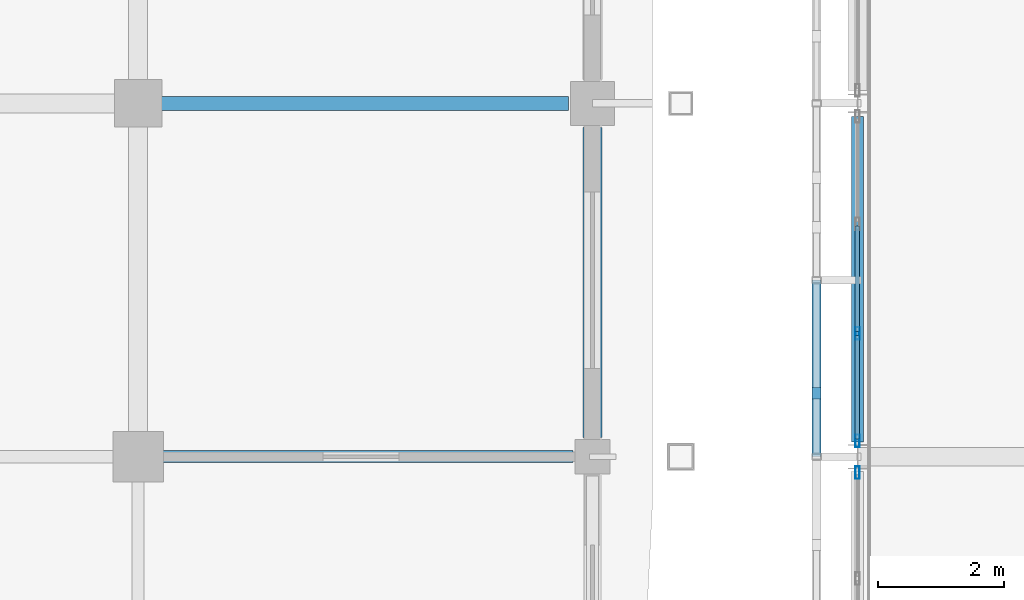
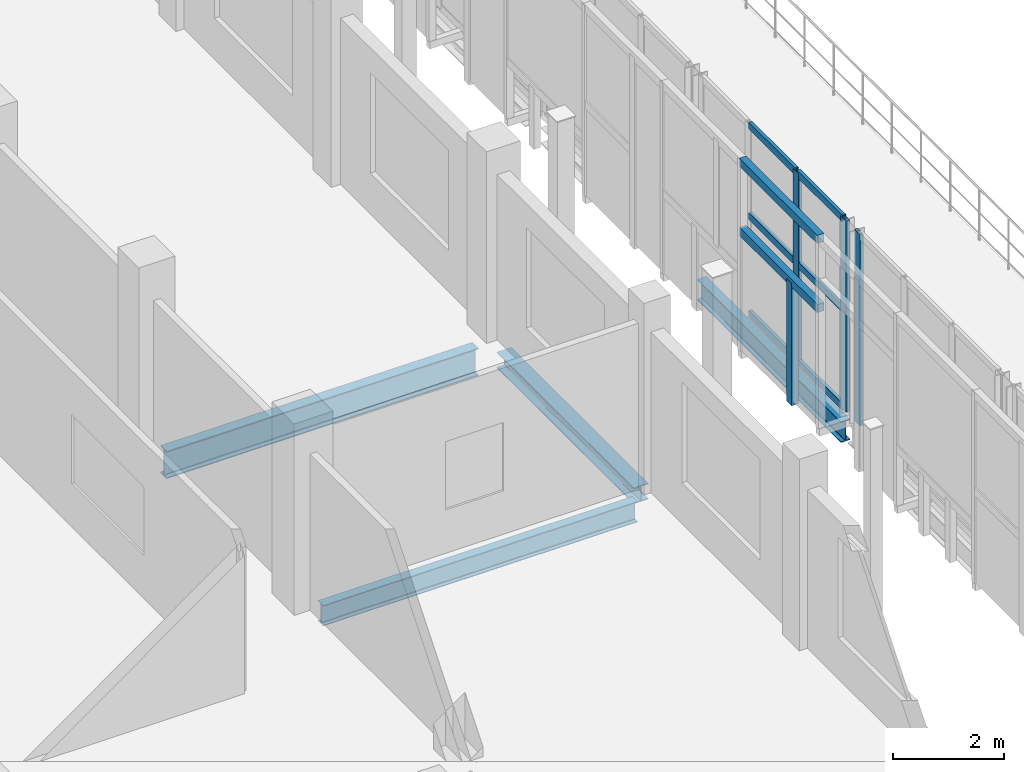
# One storey, part 39 of 121: 12 members, 4 beams, 2 elements without a shape of their own.
"""IFC4 building model written with IfcOpenShell, lengths in metres."""

from ifc_helpers import new_model, si_unit, direction, frame, origin, origin_2d, place, context, subcontext, project, spatial, rectangle, hollow_rectangle, i_section, extrude, material, layer, layer_set, material_profile, profile_set, type_object, element, aggregate, save


model = new_model("IFC4")

# Units and contexts
model_context = context("Model", 3, precision=1e-05, world=origin(), true_north=direction((0.0, 1.0)))
body_context = subcontext(model_context, "Body", "Model", "MODEL_VIEW")
ifc_project = project(units=[si_unit("LENGTHUNIT", "METRE"), si_unit("AREAUNIT", "SQUARE_METRE"), si_unit("VOLUMEUNIT", "CUBIC_METRE"), si_unit("PLANEANGLEUNIT", "RADIAN"), si_unit("MASSUNIT", "GRAM", prefix="KILO")], contexts=[model_context])

# Site, building, storey
site_placement = place(None, origin())
site = spatial("IfcSite", under=ifc_project, at=site_placement, CompositionType="ELEMENT")
building_placement = place(site_placement, origin())
building = spatial("IfcBuilding", under=site, at=building_placement, Name="Vinh Khe Railworks Police Headquarters", CompositionType="ELEMENT")
storey_placement = place(building_placement, frame((0.0, 0.0, 4.800048828125)))
storey = spatial("IfcBuildingStorey", under=building, at=storey_placement, Name="L01", CompositionType="ELEMENT", Elevation=4.800048828125)

# Members
ifc_material_1 = material(Name="Salvaged ironwood timber", Category="wood")
ifc_material_profile_1 = material_profile(ifc_material_1, rectangle(XDim=0.139892578125, YDim=0.179931640625, at=origin_2d()), Name="TIMBER 140x180")
ifc_profile_set_1 = profile_set([ifc_material_profile_1], Name="Salvaged ironwood timber")
member_type_1 = type_object("IfcMemberType", Name="MEM-QUILT-STILE", PredefinedType="CHORD", material=ifc_profile_set_1)
for number, where, z_axis, x_axis, name in (
    (1, (25.75, 42.0, 4.119873046875), (0.0, 1.0, 0.0), (-1.0, 0.0, 0.0), "Salvaged Timber Quilt Transom W-L01-06-TOP"),
    (2, (25.75, 42.0, 2.60400390625), (0.0, 1.0, 0.0), (-1.0, 0.0, 0.0), "Salvaged Timber Quilt Transom W-L01-06-M1"),
):
    element("IfcMember", number, at=place(storey_placement, frame(where, z_axis=z_axis, x_axis=x_axis)), inside=storey, type_object=member_type_1, Name=name, PredefinedType="CHORD", context=body_context, shape_type="SweptSolid", body=[
        extrude(rectangle(XDim=0.139892578125, YDim=0.179931640625, at=origin_2d()), origin(), (0.0, 0.0, 1.0), 2.800048828125),
    ])
member_1_placement = place(storey_placement, frame((25.75, 43.008056640625, -0.080078125), z_axis=(0.0, 0.0, 1.0), x_axis=(1.0, 0.0, 0.0)))
element("IfcMember", 3, at=member_1_placement, inside=storey, type_object=member_type_1, Name="Salvaged Timber Quilt Stile W-L01-06-V1", PredefinedType="POST", context=body_context, shape_type="SweptSolid", body=[
    extrude(rectangle(XDim=0.139892578125, YDim=0.179931640625, at=origin_2d()), origin(), (0.0, 0.0, 1.0), 2.68408203125),
])

# Curtain wall, member
ifc_material_2 = material(Name="Anodised aluminium and low-iron glass", Category="aluminium")
ifc_layer = layer(ifc_material_2, 0.179931640625)
ifc_layer_set = layer_set([ifc_layer], Name="Anodised aluminium and low-iron glass")
curtain_wall_type = type_object("IfcCurtainWallType", Name="CW-CUBE-UNIT", PredefinedType="USERDEFINED", material=ifc_layer_set)
curtain_wall_1_placement = place(storey_placement, origin())
curtain_wall_1 = element("IfcCurtainWall", 4, at=curtain_wall_1_placement, inside=storey, type_object=curtain_wall_type, Name="Entrance Hall Curtain Wall L01 W-3", ObjectType="UNITISED GLAZING", PredefinedType="USERDEFINED")
ifc_material_3 = material(Name="Anodised aluminium 6063-T6", Category="aluminium")
ifc_material_profile_2 = material_profile(ifc_material_3, hollow_rectangle(XDim=0.070068359375, YDim=0.199951171875, WallThickness=0.0048828125, at=origin_2d()), Name="CW-M 70x200x5")
ifc_profile_set_2 = profile_set([ifc_material_profile_2], Name="Anodised aluminium 6063-T6")
member_type_2 = type_object("IfcMemberType", Name="MULL-CWM-03", PredefinedType="MULLION", material=ifc_profile_set_2)
member_2_placement = place(storey_placement, frame((26.39990234375, 41.75, 0.0), z_axis=(0.0, 0.0, 1.0), x_axis=(-1.0, 0.0, 0.0)))
member_2 = element("IfcMember", 5, at=member_2_placement, type_object=member_type_2, Name="CW-01 mullion 4", PredefinedType="MULLION", context=body_context, shape_type="SweptSolid", body=[
    extrude(hollow_rectangle(XDim=0.070068359375, YDim=0.199951171875, WallThickness=0.0048828125, at=origin_2d()), origin(), (0.0, 0.0, 1.0), 4.199951171875),
])
aggregate(curtain_wall_1, [member_2])

# Curtain wall, members
curtain_wall_2_placement = place(storey_placement, origin())
curtain_wall_2 = element("IfcCurtainWall", 6, at=curtain_wall_2_placement, inside=storey, type_object=curtain_wall_type, Name="Entrance Hall Curtain Wall L01 W-4", ObjectType="UNITISED GLAZING", PredefinedType="USERDEFINED")
member_3_placement = place(storey_placement, frame((26.39990234375, 42.25, 0.0), z_axis=(0.0, 0.0, 1.0), x_axis=(-1.0, 0.0, 0.0)))
member_3 = element("IfcMember", 7, at=member_3_placement, type_object=member_type_2, Name="CW-01 mullion 1", PredefinedType="MULLION", context=body_context, shape_type="SweptSolid", body=[
    extrude(hollow_rectangle(XDim=0.070068359375, YDim=0.199951171875, WallThickness=0.0048828125, at=origin_2d()), origin(), (0.0, 0.0, 1.0), 4.199951171875),
])
member_4_placement = place(storey_placement, frame((26.39990234375, 43.953369140625, 0.0), z_axis=(0.0, 0.0, 1.0), x_axis=(-1.0, 0.0, 0.0)))
member_4 = element("IfcMember", 8, at=member_4_placement, type_object=member_type_2, Name="CW-01 mullion 2", PredefinedType="MULLION", context=body_context, shape_type="SweptSolid", body=[
    extrude(hollow_rectangle(XDim=0.070068359375, YDim=0.199951171875, WallThickness=0.0048828125, at=origin_2d()), origin(), (0.0, 0.0, 1.0), 4.199951171875),
])

# Beams
ifc_material_4 = material(Name="Steel S355JR", Category="steel")
ifc_material_profile_3 = material_profile(ifc_material_4, i_section(OverallWidth=0.300048828125, OverallDepth=0.35009765625, WebThickness=0.010009765625, FlangeThickness=0.017578125, FilletRadius=0.027099609375, at=origin_2d()), Name="HEA 360")
ifc_profile_set_3 = profile_set([ifc_material_profile_3], Name="Steel S355JR")
beam_type_1 = type_object("IfcBeamType", Name="Steel Girder HEA 360", PredefinedType="BEAM", material=ifc_profile_set_3)
beam_1_placement = place(storey_placement, frame((22.199951171875, 42.304931640625, -0.4150390625), z_axis=(0.0, 1.0, 0.0), x_axis=(-1.0, 0.0, 0.0)))
element("IfcBeam", 9, at=beam_1_placement, inside=storey, type_object=beam_type_1, Name="Girder BM-L01-NS-SB-15-0619", PredefinedType="BEAM", context=body_context, shape_type="SweptSolid", body=[
    extrude(i_section(OverallWidth=0.300048828125, OverallDepth=0.35009765625, WebThickness=0.010009765625, FlangeThickness=0.017578125, FilletRadius=0.027099609375, at=origin_2d()), origin(), (0.0, 0.0, 1.0), 4.9150390625),
])
ifc_material_profile_4 = material_profile(ifc_material_4, i_section(OverallWidth=0.18994140625, OverallDepth=0.449951171875, WebThickness=0.009521484375, FlangeThickness=0.0146484375, FilletRadius=0.02099609375, at=origin_2d()), Name="IPE 450")
ifc_profile_set_4 = profile_set([ifc_material_profile_4], Name="Steel S355JR")
beam_type_2 = type_object("IfcBeamType", Name="Steel Girder IPE 450", PredefinedType="BEAM", material=ifc_profile_set_4)
beam_2_placement = place(storey_placement, frame((15.3798828125, 42.0, -0.465087890625), z_axis=(1.0, 0.0, 0.0), x_axis=(0.0, 1.0, 0.0)))
element("IfcBeam", 10, at=beam_2_placement, inside=storey, type_object=beam_type_2, Name="Girder BM-L01-EW-SB-20-0450", PredefinedType="BEAM", context=body_context, shape_type="SweptSolid", body=[
    extrude(i_section(OverallWidth=0.18994140625, OverallDepth=0.449951171875, WebThickness=0.009521484375, FlangeThickness=0.0146484375, FilletRadius=0.02099609375, at=origin_2d()), origin(), (0.0, 0.0, 1.0), 6.51513671875),
])
beam_3_placement = place(storey_placement, frame((26.39990234375, 42.22998046875, -0.465087890625), z_axis=(0.0, 1.0, 0.0), x_axis=(-1.0, 0.0, 0.0)))
element("IfcBeam", 11, at=beam_3_placement, inside=storey, type_object=beam_type_2, Name="Girder BM-L01-NS-SB-20-0636", PredefinedType="BEAM", context=body_context, shape_type="SweptSolid", body=[
    extrude(i_section(OverallWidth=0.18994140625, OverallDepth=0.449951171875, WebThickness=0.009521484375, FlangeThickness=0.0146484375, FilletRadius=0.02099609375, at=origin_2d()), origin(), (0.0, 0.0, 1.0), 5.1650390625),
])
ifc_material_profile_5 = material_profile(ifc_material_4, i_section(OverallWidth=0.219970703125, OverallDepth=0.60009765625, WebThickness=0.011962890625, FlangeThickness=0.01904296875, FilletRadius=0.02392578125, at=origin_2d()), Name="IPE 600")
ifc_profile_set_5 = profile_set([ifc_material_profile_5], Name="Steel S355JR")
beam_type_3 = type_object("IfcBeamType", Name="Steel Girder IPE 600", PredefinedType="BEAM", material=ifc_profile_set_5)
beam_4_placement = place(storey_placement, frame((15.35498046875, 47.60009765625, -0.5400390625), z_axis=(1.0, 0.0, 0.0), x_axis=(0.0, 1.0, 0.0)))
element("IfcBeam", 12, at=beam_4_placement, inside=storey, type_object=beam_type_3, Name="Girder BM-L01-EW-SB-17-0453", PredefinedType="BEAM", context=body_context, shape_type="SweptSolid", body=[
    extrude(i_section(OverallWidth=0.219970703125, OverallDepth=0.60009765625, WebThickness=0.011962890625, FlangeThickness=0.01904296875, FilletRadius=0.02392578125, at=origin_2d()), origin(), (0.0, 0.0, 1.0), 6.465087890625),
])

# Member
ifc_material_profile_6 = material_profile(ifc_material_3, hollow_rectangle(XDim=0.070068359375, YDim=0.14990234375, WallThickness=0.0048828125, at=origin_2d()), Name="CW-T 70x150x5")
ifc_profile_set_6 = profile_set([ifc_material_profile_6], Name="Anodised aluminium 6063-T6")
member_type_3 = type_object("IfcMemberType", Name="TRAN-CWT-03", PredefinedType="USERDEFINED", material=ifc_profile_set_6)
member_5_placement = place(storey_placement, frame((26.39990234375, 42.284912109375, 0.034912109375), z_axis=(0.0, 1.0, 0.0), x_axis=(-1.0, 0.0, 0.0)))
member_5 = element("IfcMember", 13, at=member_5_placement, type_object=member_type_3, Name="CW-01 transom 1.1", ObjectType="TRANSOM", PredefinedType="USERDEFINED", context=body_context, shape_type="SweptSolid", body=[
    extrude(hollow_rectangle(XDim=0.070068359375, YDim=0.14990234375, WallThickness=0.0048828125, at=origin_2d()), origin(), (0.0, 0.0, 1.0), 1.63330078125),
])

member_6_placement = place(storey_placement, frame((26.39990234375, 42.284912109375, 2.183837890625), z_axis=(0.0, 1.0, 0.0), x_axis=(-1.0, 0.0, 0.0)))
member_6 = element("IfcMember", 14, at=member_6_placement, type_object=member_type_3, Name="CW-01 transom 1.2", ObjectType="TRANSOM", PredefinedType="USERDEFINED", context=body_context, shape_type="SweptSolid", body=[
    extrude(hollow_rectangle(XDim=0.070068359375, YDim=0.14990234375, WallThickness=0.0048828125, at=origin_2d()), origin(), (0.0, 0.0, 1.0), 1.63330078125),
])

member_7_placement = place(storey_placement, frame((26.39990234375, 42.284912109375, 4.1650390625), z_axis=(0.0, 1.0, 0.0), x_axis=(-1.0, 0.0, 0.0)))
member_7 = element("IfcMember", 15, at=member_7_placement, type_object=member_type_3, Name="CW-01 transom 1.3", ObjectType="TRANSOM", PredefinedType="USERDEFINED", context=body_context, shape_type="SweptSolid", body=[
    extrude(hollow_rectangle(XDim=0.070068359375, YDim=0.14990234375, WallThickness=0.0048828125, at=origin_2d()), origin(), (0.0, 0.0, 1.0), 1.63330078125),
])

member_8_placement = place(storey_placement, frame((26.39990234375, 43.98828125, 0.034912109375), z_axis=(0.0, 1.0, 0.0), x_axis=(-1.0, 0.0, 0.0)))
member_8 = element("IfcMember", 16, at=member_8_placement, type_object=member_type_3, Name="CW-01 transom 2.1", ObjectType="TRANSOM", PredefinedType="USERDEFINED", context=body_context, shape_type="SweptSolid", body=[
    extrude(hollow_rectangle(XDim=0.070068359375, YDim=0.14990234375, WallThickness=0.0048828125, at=origin_2d()), origin(), (0.0, 0.0, 1.0), 1.66845703125),
])

member_9_placement = place(storey_placement, frame((26.39990234375, 43.98828125, 2.183837890625), z_axis=(0.0, 1.0, 0.0), x_axis=(-1.0, 0.0, 0.0)))
member_9 = element("IfcMember", 17, at=member_9_placement, type_object=member_type_3, Name="CW-01 transom 2.2", ObjectType="TRANSOM", PredefinedType="USERDEFINED", context=body_context, shape_type="SweptSolid", body=[
    extrude(hollow_rectangle(XDim=0.070068359375, YDim=0.14990234375, WallThickness=0.0048828125, at=origin_2d()), origin(), (0.0, 0.0, 1.0), 1.66845703125),
])

member_10_placement = place(storey_placement, frame((26.39990234375, 43.98828125, 4.1650390625), z_axis=(0.0, 1.0, 0.0), x_axis=(-1.0, 0.0, 0.0)))
member_10 = element("IfcMember", 18, at=member_10_placement, type_object=member_type_3, Name="CW-01 transom 2.3", ObjectType="TRANSOM", PredefinedType="USERDEFINED", context=body_context, shape_type="SweptSolid", body=[
    extrude(hollow_rectangle(XDim=0.070068359375, YDim=0.14990234375, WallThickness=0.0048828125, at=origin_2d()), origin(), (0.0, 0.0, 1.0), 1.66845703125),
])

aggregate(curtain_wall_2, [member_3, member_4, member_5, member_6, member_7, member_8, member_9, member_10])

save(model, "model.ifc")
